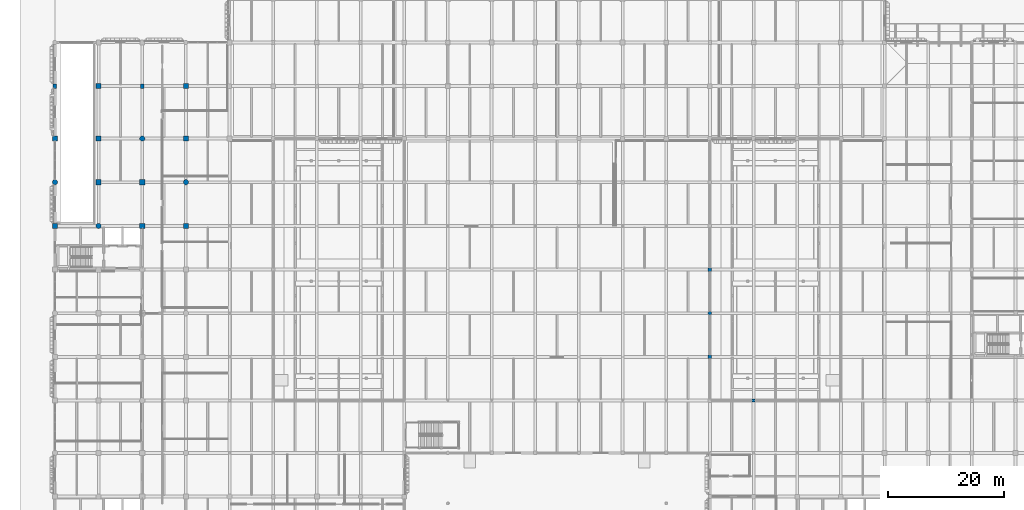
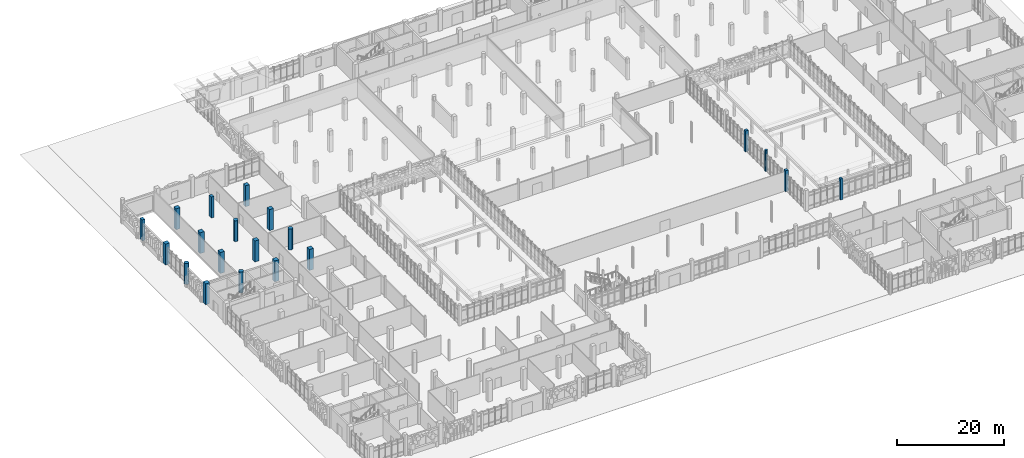
# One storey, part 7 of 125: 20 columns.
"""IFC4 building model written with IfcOpenShell, lengths in metres."""

from ifc_helpers import new_model, si_unit, direction, frame, origin, origin_2d, place, context, subcontext, project, spatial, rectangle, circle, extrude, material, material_profile, profile_set, type_object, element, save


model = new_model("IFC4")

# Units and contexts
model_context = context("Model", 3, precision=1e-05, world=origin(), true_north=direction((0.0, 1.0)))
body_context = subcontext(model_context, "Body", "Model", "MODEL_VIEW")
ifc_project = project(units=[si_unit("LENGTHUNIT", "METRE"), si_unit("AREAUNIT", "SQUARE_METRE"), si_unit("VOLUMEUNIT", "CUBIC_METRE"), si_unit("PLANEANGLEUNIT", "RADIAN"), si_unit("MASSUNIT", "GRAM", prefix="KILO")], contexts=[model_context])

# Site, building, storey
site_placement = place(None, origin())
site = spatial("IfcSite", under=ifc_project, at=site_placement, CompositionType="ELEMENT")
building_placement = place(site_placement, origin())
building = spatial("IfcBuilding", under=site, at=building_placement, Name="Dalvernix Boulevard General Hospital", CompositionType="ELEMENT")
storey_placement = place(building_placement, origin())
storey = spatial("IfcBuildingStorey", under=building, at=storey_placement, Name="L00", CompositionType="ELEMENT", Elevation=0.0)

# Columns
ifc_material = material(Name="Concrete C40/50", Category="concrete")
ifc_material_profile_1 = material_profile(ifc_material, rectangle(XDim=0.89990234375, YDim=0.89990234375, at=origin_2d()), Name="RC 900x900")
ifc_profile_set_1 = profile_set([ifc_material_profile_1], Name="Concrete C40/50")
column_type_1 = type_object("IfcColumnType", Name="COL-C-01-E", PredefinedType="COLUMN", material=ifc_profile_set_1)
for number, where, z_axis, x_axis, name in (
    (1, (0.0, 61.5, 0.0), (0.0, 0.0, 1.0), (1.0, 0.0, 0.0), "L00 column 1J"),
    (2, (0.0, 76.5, 0.0), (0.0, 0.0, 1.0), (1.0, 0.0, 0.0), "L00 column 1L"),
):
    element("IfcColumn", number, at=place(storey_placement, frame(where, z_axis=z_axis, x_axis=x_axis)), inside=storey, type_object=column_type_1, Name=name, PredefinedType="COLUMN", context=body_context, shape_type="SweptSolid", body=[
        extrude(rectangle(XDim=0.89990234375, YDim=0.89990234375, at=origin_2d()), origin(), (0.0, 0.0, 1.0), 4.800048828125),
    ])
ifc_material_profile_2 = material_profile(ifc_material, rectangle(XDim=0.89990234375, YDim=0.89990234375, at=origin_2d()), Name="RC 900x900")
ifc_profile_set_2 = profile_set([ifc_material_profile_2], Name="Concrete C40/50")
column_type_2 = type_object("IfcColumnType", Name="COL-C-01-I", PredefinedType="COLUMN", material=ifc_profile_set_2)
for number, where, z_axis, x_axis, name in (
    (3, (7.5, 69.0, 0.0), (0.0, 0.0, 1.0), (1.0, 0.0, 0.0), "L00 column 2K"),
    (4, (7.5, 76.5, 0.0), (0.0, 0.0, 1.0), (1.0, 0.0, 0.0), "L00 column 2L"),
    (5, (15.0, 61.5, 0.0), (0.0, 0.0, 1.0), (1.0, 0.0, 0.0), "L00 column 3J"),
    (6, (15.0, 69.0, 0.0), (0.0, 0.0, 1.0), (1.0, 0.0, 0.0), "L00 column 3K"),
    (7, (22.5, 61.5, 0.0), (0.0, 0.0, 1.0), (1.0, 0.0, 0.0), "L00 column 4J"),
    (8, (22.5, 76.5, 0.0), (0.0, 0.0, 1.0), (1.0, 0.0, 0.0), "L00 column 4L"),
):
    element("IfcColumn", number, at=place(storey_placement, frame(where, z_axis=z_axis, x_axis=x_axis)), inside=storey, type_object=column_type_2, Name=name, PredefinedType="COLUMN", context=body_context, shape_type="SweptSolid", body=[
        extrude(rectangle(XDim=0.89990234375, YDim=0.89990234375, at=origin_2d()), origin(), (0.0, 0.0, 1.0), 4.800048828125),
    ])
ifc_material_profile_3 = material_profile(ifc_material, rectangle(XDim=0.85009765625, YDim=0.85009765625, at=origin_2d()), Name="RC 850x850")
ifc_profile_set_3 = profile_set([ifc_material_profile_3], Name="Concrete C40/50")
column_type_3 = type_object("IfcColumnType", Name="COL-C-02-I", PredefinedType="COLUMN", material=ifc_profile_set_3)
for number, where, z_axis, x_axis, name in (
    (9, (7.5, 85.5, 0.0), (0.0, 0.0, 1.0), (1.0, 0.0, 0.0), "L00 column 2M"),
    (10, (22.5, 85.5, 0.0), (0.0, 0.0, 1.0), (1.0, 0.0, 0.0), "L00 column 4M"),
):
    element("IfcColumn", number, at=place(storey_placement, frame(where, z_axis=z_axis, x_axis=x_axis)), inside=storey, type_object=column_type_3, Name=name, PredefinedType="COLUMN", context=body_context, shape_type="SweptSolid", body=[
        extrude(rectangle(XDim=0.85009765625, YDim=0.85009765625, at=origin_2d()), origin(), (0.0, 0.0, 1.0), 4.800048828125),
    ])
ifc_material_profile_4 = material_profile(ifc_material, rectangle(XDim=0.60009765625, YDim=0.60009765625, at=origin_2d()), Name="RC 600x600")
ifc_profile_set_4 = profile_set([ifc_material_profile_4], Name="Concrete C40/50")
column_type_4 = type_object("IfcColumnType", Name="COL-C-07-E", PredefinedType="COLUMN", material=ifc_profile_set_4)
for number, where, z_axis, x_axis, name in (
    (11, (112.5, 39.0, 0.0), (0.0, 0.0, 1.0), (1.0, 0.0, 0.0), "L00 column 16F"),
    (12, (112.5, 54.0, 0.0), (0.0, 0.0, 1.0), (1.0, 0.0, 0.0), "L00 column 16H"),
):
    element("IfcColumn", number, at=place(storey_placement, frame(where, z_axis=z_axis, x_axis=x_axis)), inside=storey, type_object=column_type_4, Name=name, PredefinedType="COLUMN", context=body_context, shape_type="SweptSolid", body=[
        extrude(rectangle(XDim=0.60009765625, YDim=0.60009765625, at=origin_2d()), origin(), (0.0, 0.0, 1.0), 4.800048828125),
    ])
ifc_material_profile_5 = material_profile(ifc_material, rectangle(XDim=0.550048828125, YDim=0.550048828125, at=origin_2d()), Name="RC 550x550")
ifc_profile_set_5 = profile_set([ifc_material_profile_5], Name="Concrete C40/50")
column_type_5 = type_object("IfcColumnType", Name="COL-C-08-E", PredefinedType="COLUMN", material=ifc_profile_set_5)
column_1_placement = place(storey_placement, frame((120.0, 31.5, 0.0), z_axis=(0.0, 0.0, 1.0), x_axis=(1.0, 0.0, 0.0)))
element("IfcColumn", 13, at=column_1_placement, inside=storey, type_object=column_type_5, Name="L00 column 17E", PredefinedType="COLUMN", context=body_context, shape_type="SweptSolid", body=[
    extrude(rectangle(XDim=0.550048828125, YDim=0.550048828125, at=origin_2d()), origin(), (0.0, 0.0, 1.0), 4.800048828125),
])
ifc_material_profile_6 = material_profile(ifc_material, rectangle(XDim=0.60009765625, YDim=0.800048828125, at=origin_2d()), Name="RC 600x800")
ifc_profile_set_6 = profile_set([ifc_material_profile_6], Name="Concrete C40/50")
column_type_6 = type_object("IfcColumnType", Name="COL-C-11-E", PredefinedType="COLUMN", material=ifc_profile_set_6)
column_2_placement = place(storey_placement, frame((0.0, 85.5, 0.0), z_axis=(0.0, 0.0, 1.0), x_axis=(1.0, 0.0, 0.0)))
element("IfcColumn", 14, at=column_2_placement, inside=storey, type_object=column_type_6, Name="L00 column 1M", PredefinedType="COLUMN", context=body_context, shape_type="SweptSolid", body=[
    extrude(rectangle(XDim=0.60009765625, YDim=0.800048828125, at=origin_2d()), origin(), (0.0, 0.0, 1.0), 4.800048828125),
])
ifc_material_profile_7 = material_profile(ifc_material, rectangle(XDim=0.60009765625, YDim=0.800048828125, at=origin_2d()), Name="RC 600x800")
ifc_profile_set_7 = profile_set([ifc_material_profile_7], Name="Concrete C40/50")
column_type_7 = type_object("IfcColumnType", Name="COL-C-11-I", PredefinedType="COLUMN", material=ifc_profile_set_7)
column_3_placement = place(storey_placement, frame((15.0, 85.5, 0.0), z_axis=(0.0, 0.0, 1.0), x_axis=(1.0, 0.0, 0.0)))
element("IfcColumn", 15, at=column_3_placement, inside=storey, type_object=column_type_7, Name="L00 column 3M", PredefinedType="COLUMN", context=body_context, shape_type="SweptSolid", body=[
    extrude(rectangle(XDim=0.60009765625, YDim=0.800048828125, at=origin_2d()), origin(), (0.0, 0.0, 1.0), 4.800048828125),
])
ifc_material_profile_8 = material_profile(ifc_material, circle(Radius=0.449951171875, at=origin_2d()), Name="RC D900")
ifc_profile_set_8 = profile_set([ifc_material_profile_8], Name="Concrete C40/50")
column_type_8 = type_object("IfcColumnType", Name="COL-C-13-E", PredefinedType="COLUMN", material=ifc_profile_set_8)
column_4_placement = place(storey_placement, frame((0.0, 69.0, 0.0), z_axis=(0.0, 0.0, 1.0), x_axis=(1.0, 0.0, 0.0)))
element("IfcColumn", 16, at=column_4_placement, inside=storey, type_object=column_type_8, Name="L00 column 1K", PredefinedType="COLUMN", context=body_context, shape_type="SweptSolid", body=[
    extrude(circle(Radius=0.449951171875, at=origin_2d()), origin(), (0.0, 0.0, 1.0), 4.800048828125),
])
ifc_material_profile_9 = material_profile(ifc_material, circle(Radius=0.449951171875, at=origin_2d()), Name="RC D900")
ifc_profile_set_9 = profile_set([ifc_material_profile_9], Name="Concrete C40/50")
column_type_9 = type_object("IfcColumnType", Name="COL-C-13-I", PredefinedType="COLUMN", material=ifc_profile_set_9)
for number, where, z_axis, x_axis, name in (
    (17, (7.5, 61.5, 0.0), (0.0, 0.0, 1.0), (1.0, 0.0, 0.0), "L00 column 2J"),
    (18, (15.0, 76.5, 0.0), (0.0, 0.0, 1.0), (1.0, 0.0, 0.0), "L00 column 3L"),
    (19, (22.5, 69.0, 0.0), (0.0, 0.0, 1.0), (1.0, 0.0, 0.0), "L00 column 4K"),
):
    element("IfcColumn", number, at=place(storey_placement, frame(where, z_axis=z_axis, x_axis=x_axis)), inside=storey, type_object=column_type_9, Name=name, PredefinedType="COLUMN", context=body_context, shape_type="SweptSolid", body=[
        extrude(circle(Radius=0.449951171875, at=origin_2d()), origin(), (0.0, 0.0, 1.0), 4.800048828125),
    ])
ifc_material_profile_10 = material_profile(ifc_material, circle(Radius=0.300048828125, at=origin_2d()), Name="RC D600")
ifc_profile_set_10 = profile_set([ifc_material_profile_10], Name="Concrete C40/50")
column_type_10 = type_object("IfcColumnType", Name="COL-C-15-E", PredefinedType="COLUMN", material=ifc_profile_set_10)
column_5_placement = place(storey_placement, frame((112.5, 46.5, 0.0), z_axis=(0.0, 0.0, 1.0), x_axis=(1.0, 0.0, 0.0)))
element("IfcColumn", 20, at=column_5_placement, inside=storey, type_object=column_type_10, Name="L00 column 16G", PredefinedType="COLUMN", context=body_context, shape_type="SweptSolid", body=[
    extrude(circle(Radius=0.300048828125, at=origin_2d()), origin(), (0.0, 0.0, 1.0), 4.800048828125),
])

save(model, "model.ifc")
